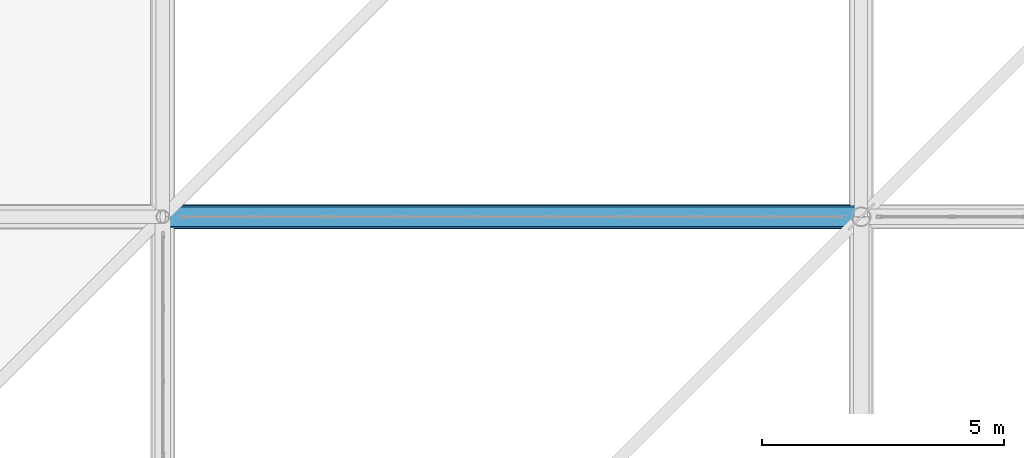
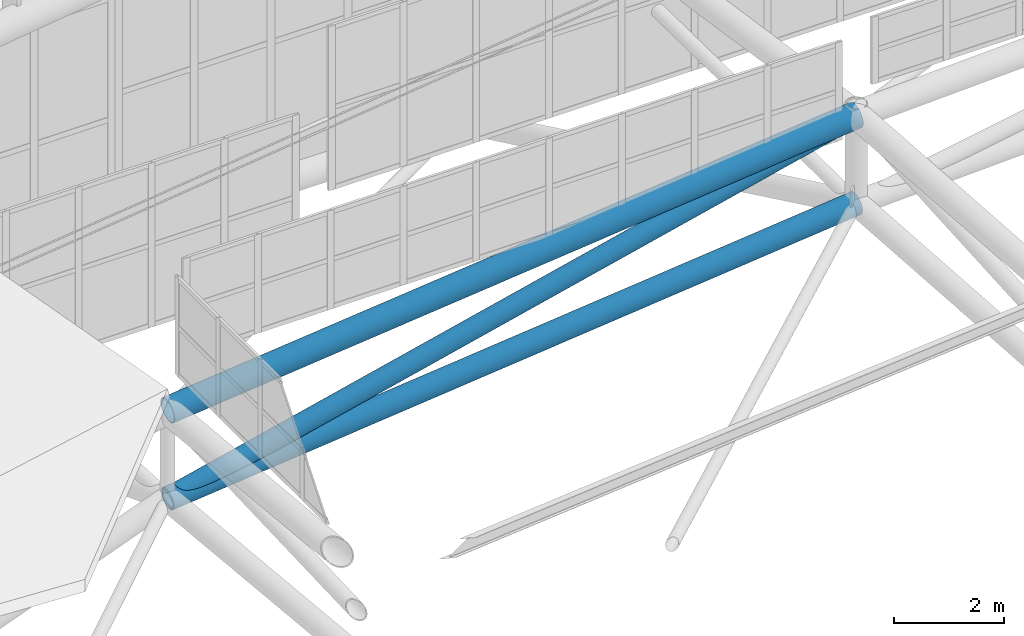
# One storey, part 234 of 397: 2 beams, 1 member.
"""IFC4 building model written with IfcOpenShell, lengths in metres."""

from ifc_helpers import new_model, si_unit, direction, frame, origin, origin_2d, place, context, subcontext, project, spatial, hollow_circle, extrude, material, material_profile, profile_set, type_object, element, save


model = new_model("IFC4")

# Units and contexts
model_context = context("Model", 3, precision=1e-05, world=origin(), true_north=direction((0.0, 1.0)))
body_context = subcontext(model_context, "Body", "Model", "MODEL_VIEW")
ifc_project = project(units=[si_unit("LENGTHUNIT", "METRE"), si_unit("AREAUNIT", "SQUARE_METRE"), si_unit("VOLUMEUNIT", "CUBIC_METRE"), si_unit("PLANEANGLEUNIT", "RADIAN"), si_unit("MASSUNIT", "GRAM", prefix="KILO")], contexts=[model_context])

# Site, building, storey
site_placement = place(None, origin())
site = spatial("IfcSite", under=ifc_project, at=site_placement, CompositionType="ELEMENT")
building_placement = place(site_placement, origin())
building = spatial("IfcBuilding", under=site, at=building_placement, Name="Qandorah Velis Arena", CompositionType="ELEMENT")
storey_placement = place(building_placement, frame((0.0, 0.0, 27.5)))
storey = spatial("IfcBuildingStorey", under=building, at=storey_placement, Name="RF", CompositionType="ELEMENT", Elevation=27.5)

# Beams
ifc_material = material(Name="Steel S355", Category="steel")
ifc_material_profile_1 = material_profile(ifc_material, hollow_circle(Radius=0.228515625, WallThickness=0.01611328125, at=origin_2d()), Name="CHS 457x16")
ifc_profile_set_1 = profile_set([ifc_material_profile_1], Name="Steel S355")
beam_type_1 = type_object("IfcBeamType", Name="STR-SFC-CHS457X16", PredefinedType="USERDEFINED", material=ifc_profile_set_1)
beam_1_placement = place(storey_placement, frame((28.800048828125, 100.800048828125, 5.515380859375), z_axis=(0.994659963096, 0.0, 0.10320638456), x_axis=(0.0, 1.0, 0.0)))
element("IfcBeam", 1, at=beam_1_placement, inside=storey, type_object=beam_type_1, Name="Space frame roof truss bottom chord X 1.6", ObjectType="ROOF TRUSS", PredefinedType="USERDEFINED", context=body_context, shape_type="SweptSolid", body=[
    extrude(hollow_circle(Radius=0.228515625, WallThickness=0.01611328125, at=origin_2d()), origin(), (0.0, 0.0, 1.0), 14.477294921875),
])
ifc_material_profile_2 = material_profile(ifc_material, hollow_circle(Radius=0.25390625, WallThickness=0.02001953125, at=origin_2d()), Name="CHS 508x20")
ifc_profile_set_2 = profile_set([ifc_material_profile_2], Name="Steel S355")
beam_type_2 = type_object("IfcBeamType", Name="STR-SFC-CHS508X20", PredefinedType="USERDEFINED", material=ifc_profile_set_2)
beam_2_placement = place(storey_placement, frame((28.800048828125, 100.800048828125, 7.46533203125), z_axis=(0.994659963096, 0.0, 0.10320638456), x_axis=(0.0, 1.0, 0.0)))
element("IfcBeam", 2, at=beam_2_placement, inside=storey, type_object=beam_type_2, Name="Space frame roof truss top chord X 1.6", ObjectType="ROOF TRUSS", PredefinedType="USERDEFINED", context=body_context, shape_type="SweptSolid", body=[
    extrude(hollow_circle(Radius=0.25390625, WallThickness=0.02001953125, at=origin_2d()), origin(), (0.0, 0.0, 1.0), 14.477294921875),
])

# Member
ifc_material_profile_3 = material_profile(ifc_material, hollow_circle(Radius=0.203125, WallThickness=0.01611328125, at=origin_2d()), Name="CHS 406.4x16")
ifc_profile_set_3 = profile_set([ifc_material_profile_3], Name="Steel S355")
member_type = type_object("IfcMemberType", Name="STR-SFD-CHS406X16", PredefinedType="STRUT", material=ifc_profile_set_3)
member_placement = place(storey_placement, frame((28.800048828125, 100.800048828125, 5.515380859375), z_axis=(0.972569160891, 0.0, 0.232613901744), x_axis=(0.0, 1.0, 0.0)))
element("IfcMember", 3, at=member_placement, inside=storey, type_object=member_type, Name="Space frame roof diagonal X 1.6", PredefinedType="STRUT", context=body_context, shape_type="SweptSolid", body=[
    extrude(hollow_circle(Radius=0.203125, WallThickness=0.01611328125, at=origin_2d()), origin(), (0.0, 0.0, 1.0), 14.80615234375),
])

save(model, "model.ifc")
